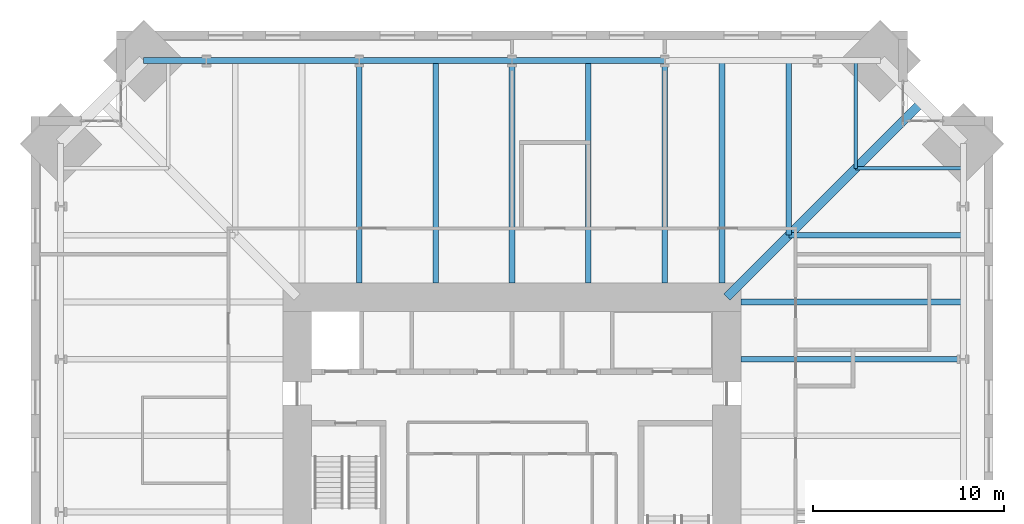
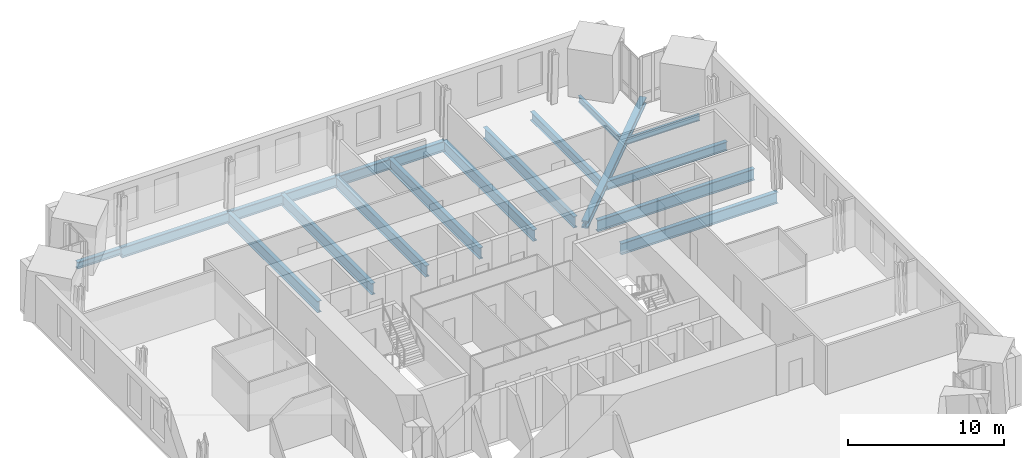
# One storey, part 7 of 15: 17 beams.
"""IFC4 building model written with IfcOpenShell, lengths in metres."""

import ifcopenshell
import ifcopenshell.guid

model = None  # the IFC model being written
_history = None  # IfcOwnerHistory: only IFC2X3 demands one
_inside = {}  # id of a spatial element -> (the spatial element, [elements in it])
_under = {}  # id of a project, library or spatial element -> (it, [spatial elements below it])
_declared = {}  # id of a project -> (the project, [libraries it declares])
_typed = {}  # id of a type object -> (the type object, [elements of that type])
_made_of = {}  # id of a material, layer set ... -> (it, [elements and type objects made of it])


def new_model(schema):
    """Start an empty IFC model of exactly this schema.

    Asked for "IFC4X3", IfcOpenShell would pick the latest addendum, in which some entities
    have other attributes; the version numbers below select the first issue.
    IFC2X3 requires an IfcOwnerHistory on every rooted entity: one is made here for all.
    """
    global model, _history
    if schema == "IFC4X3":
        model = ifcopenshell.file(schema_version=(4, 3, 0, 0))
    else:
        model = ifcopenshell.file(schema=schema)
    _inside.clear()
    _under.clear()
    _declared.clear()
    _typed.clear()
    _made_of.clear()
    _history = None
    if model.schema == "IFC2X3":
        org = make("IfcOrganization", Name="unknown")
        user = make(
            "IfcPersonAndOrganization",
            ThePerson=make("IfcPerson", FamilyName="unknown"),
            TheOrganization=org,
        )
        app = make(
            "IfcApplication",
            ApplicationDeveloper=org,
            Version="unknown",
            ApplicationFullName="unknown",
            ApplicationIdentifier="unknown",
        )
        _history = make(
            "IfcOwnerHistory",
            OwningUser=user,
            OwningApplication=app,
            ChangeAction="ADDED",
            CreationDate=0,
        )
    return model


def make(cls, **values):
    """One entity of the class cls with the attributes given. An attribute that is None is left unset."""
    return model.create_entity(
        cls, **{name: value for name, value in values.items() if value is not None}
    )


def rooted(cls, **values):
    """An entity with a GlobalId (a new one), such as an element, a storey or a relation."""
    return make(cls, GlobalId=ifcopenshell.guid.new(), OwnerHistory=_history, **values)


def si_unit(unit_type, name, prefix=None):
    """IfcSIUnit, for example si_unit("LENGTHUNIT", "METRE", prefix="MILLI")."""
    return make("IfcSIUnit", UnitType=unit_type, Prefix=prefix, Name=name)


def assignment(units):
    """IfcUnitAssignment: the units of a project."""
    return None if units is None else make("IfcUnitAssignment", Units=units)


def point(xyz):
    """IfcCartesianPoint."""
    return None if xyz is None else make("IfcCartesianPoint", Coordinates=xyz)


def direction(xyz):
    """IfcDirection."""
    return None if xyz is None else make("IfcDirection", DirectionRatios=xyz)


def frame(location, z_axis=None, x_axis=None):
    """IfcAxis2Placement3D, a coordinate frame: its origin and axes. An axis left out is left unset."""
    return make(
        "IfcAxis2Placement3D",
        Location=point(location),
        Axis=direction(z_axis),
        RefDirection=direction(x_axis),
    )


def frame_2d(location, x_axis=None):
    """IfcAxis2Placement2D, a coordinate frame in the plane: its origin and x axis."""
    return make(
        "IfcAxis2Placement2D", Location=point(location), RefDirection=direction(x_axis)
    )


def origin():
    """The frame at (0, 0, 0) with its axes left unset."""
    return frame((0.0, 0.0, 0.0))


def origin_2d():
    """The frame at (0, 0) in the plane with its x axis left unset."""
    return frame_2d((0.0, 0.0))


def place(relative_to, where):
    """IfcLocalPlacement: puts the frame where relative to a parent placement (None: the world)."""
    return make(
        "IfcLocalPlacement", PlacementRelTo=relative_to, RelativePlacement=where
    )


def context(
    kind, dimensions, precision=None, world=None, true_north=None, identifier=None
):
    """IfcGeometricRepresentationContext, for example the 3D "Model" context."""
    return make(
        "IfcGeometricRepresentationContext",
        ContextIdentifier=identifier,
        ContextType=kind,
        CoordinateSpaceDimension=dimensions,
        Precision=precision,
        WorldCoordinateSystem=world,
        TrueNorth=true_north,
    )


def subcontext(parent, identifier, kind, view, scale=None):
    """IfcGeometricRepresentationSubContext, for example "Body" below "Model"."""
    return make(
        "IfcGeometricRepresentationSubContext",
        ContextIdentifier=identifier,
        ContextType=kind,
        ParentContext=parent,
        TargetScale=scale,
        TargetView=view,
    )


def project(units=None, contexts=None):
    """IfcProject with its units and contexts."""
    return rooted(
        "IfcProject",
        Name="project",
        RepresentationContexts=contexts,
        UnitsInContext=assignment(units),
    )


def spatial(cls, under=None, at=None, **own):
    """A site, building, storey or space (cls), placed at a placement, below another one or the project."""
    s = rooted(cls, ObjectPlacement=at, **own)
    if under is not None:
        _under.setdefault(under.id(), (under, []))[1].append(s)
    return s


def profile(cls, at=None, kind="AREA", **sizes):
    """A parametric profile (cls). Its sizes go by their IFC names, for example OverallWidth=200.0."""
    return make(cls, ProfileType=kind, Position=at, **sizes)


def i_section(**sizes):
    """IfcIShapeProfileDef."""
    return profile("IfcIShapeProfileDef", **sizes)


def extrude(swept, where, along, depth):
    """IfcExtrudedAreaSolid: the profile swept, set in the frame where, extruded along a direction by depth."""
    return make(
        "IfcExtrudedAreaSolid",
        SweptArea=swept,
        Position=where,
        ExtrudedDirection=direction(along),
        Depth=depth,
    )


def shape(context_of_items, identifier, shape_type, items):
    """IfcShapeRepresentation: the items that make up one representation, for example the "Body"."""
    return make(
        "IfcShapeRepresentation",
        ContextOfItems=context_of_items,
        RepresentationIdentifier=identifier,
        RepresentationType=shape_type,
        Items=items,
    )


def material(Name=None, Category=None):
    """IfcMaterial."""
    return make("IfcMaterial", Name=Name, Category=Category)


def material_profile(
    of_material, cross_section, Name=None, Category=None, Priority=None
):
    """IfcMaterialProfile: a cross section and its material."""
    return make(
        "IfcMaterialProfile",
        Name=Name,
        Material=of_material,
        Profile=cross_section,
        Priority=Priority,
        Category=Category,
    )


def profile_set(profiles, Name=None, composite=None):
    """IfcMaterialProfileSet."""
    return make(
        "IfcMaterialProfileSet",
        Name=Name,
        MaterialProfiles=profiles,
        CompositeProfile=composite,
    )


def made_of(thing, what):
    """Note that an element or type object is made of a material, layer set ...; save() writes the relation."""
    if what is not None:
        _made_of.setdefault(what.id(), (what, []))[1].append(thing)
    return thing


def type_object(cls, material=None, **own):
    """A type object (cls), such as IfcWallType, which elements share."""
    return made_of(rooted(cls, **own), material)


def element(
    cls,
    number,
    at=None,
    inside=None,
    cuts=None,
    type_object=None,
    material=None,
    context=None,
    identifier="Body",
    shape_type=None,
    held_by="IfcProductDefinitionShape",
    body=None,
    shapes=None,
    **own,
):
    """One element of the class cls, such as IfcWall. Its Tag is "e" and its number.

    at: its placement. inside: the storey or other place that contains it. cuts: it is an
    opening in that element (IfcRelVoidsElement). A single representation is given by context,
    identifier, shape_type and body (its items); several are given by shapes. held_by: the class
    of the entity that holds the representations. save() writes the other relations.
    """
    e = rooted(cls, Tag="e%d" % number, ObjectPlacement=at, **own)
    if body is not None:
        shapes = [shape(context, identifier, shape_type, body)]
    if shapes is not None:
        e.Representation = make(held_by, Representations=shapes)
    if inside is not None:
        _inside.setdefault(inside.id(), (inside, []))[1].append(e)
    if cuts is not None:
        rooted(
            "IfcRelVoidsElement", RelatingBuildingElement=cuts, RelatedOpeningElement=e
        )
    if type_object is not None:
        _typed.setdefault(type_object.id(), (type_object, []))[1].append(e)
    return made_of(e, material)


def aggregate(whole, parts):
    """IfcRelAggregates: a whole, such as a stair, and the parts it consists of."""
    return rooted("IfcRelAggregates", RelatingObject=whole, RelatedObjects=parts)


def save(model, path):
    """Write the relations noted so far, then the file.

    IfcRelAggregates (storeys below a building ...), IfcRelContainedInSpatialStructure (elements
    in a storey), IfcRelDefinesByType, IfcRelAssociatesMaterial and IfcRelDeclares: one each for
    every whole, place, type object, material and project.
    """
    for whole, parts in _under.values():
        aggregate(whole, parts)
    for where, things in _inside.values():
        rooted(
            "IfcRelContainedInSpatialStructure",
            RelatedElements=things,
            RelatingStructure=where,
        )
    for kind, things in _typed.values():
        rooted("IfcRelDefinesByType", RelatedObjects=things, RelatingType=kind)
    for what, things in _made_of.values():
        rooted("IfcRelAssociatesMaterial", RelatedObjects=things, RelatingMaterial=what)
    for by, libraries in _declared.values():
        rooted("IfcRelDeclares", RelatingContext=by, RelatedDefinitions=libraries)
    model.write(path)


model = new_model("IFC4")

# Units and contexts
model_context = context("Model", 3, precision=1e-05, world=origin(), true_north=direction((0.0, 1.0)))
body_context = subcontext(model_context, "Body", "Model", "MODEL_VIEW")
ifc_project = project(units=[si_unit("LENGTHUNIT", "METRE"), si_unit("AREAUNIT", "SQUARE_METRE"), si_unit("VOLUMEUNIT", "CUBIC_METRE"), si_unit("PLANEANGLEUNIT", "RADIAN"), si_unit("MASSUNIT", "GRAM", prefix="KILO")], contexts=[model_context])

# Site, building, storey
site_placement = place(None, origin())
site = spatial("IfcSite", under=ifc_project, at=site_placement, CompositionType="ELEMENT")
building_placement = place(site_placement, origin())
building = spatial("IfcBuilding", under=site, at=building_placement, Name="Peilmerk Tower", CompositionType="ELEMENT")
storey_placement = place(building_placement, frame((0.0, 0.0, 179.800048828125)))
storey = spatial("IfcBuildingStorey", under=building, at=storey_placement, Name="L38", CompositionType="ELEMENT", Elevation=179.800048828125)

# Beams
ifc_material_1 = material(Name="Steel S355", Category="steel")
ifc_material_profile_1 = material_profile(ifc_material_1, i_section(OverallWidth=0.302978515625, OverallDepth=0.81396484375, WebThickness=0.02099609375, FlangeThickness=0.0400390625, at=origin_2d()), Name="HEM 800")
ifc_profile_set_1 = profile_set([ifc_material_profile_1], Name="Steel S355")
beam_type_1 = type_object("IfcBeamType", Name="B15 HEM 800 edge beam", PredefinedType="SPANDREL", material=ifc_profile_set_1)
for number, where, z_axis, x_axis, name in (
    (1, (8.0, 23.646728515625, -0.5771484375), (-1.0, 0.0, 0.0), (0.0, -1.0, 0.0), "Edge beam L38"),
    (2, (0.0, 23.646728515625, -0.5771484375), (-1.0, 0.0, 0.0), (0.0, -1.0, 0.0), "Edge beam L38"),
    (3, (-8.0, 23.646728515625, -0.5771484375), (-1.0, 0.0, 0.0), (0.0, -1.0, 0.0), "Edge beam L38"),
):
    element("IfcBeam", number, at=place(storey_placement, frame(where, z_axis=z_axis, x_axis=x_axis)), inside=storey, type_object=beam_type_1, Name=name, PredefinedType="SPANDREL", context=body_context, shape_type="SweptSolid", body=[
        extrude(i_section(OverallWidth=0.302978515625, OverallDepth=0.81396484375, WebThickness=0.02099609375, FlangeThickness=0.0400390625, at=origin_2d()), origin(), (0.0, 0.0, 1.0), 8.0),
    ])
ifc_material_profile_2 = material_profile(ifc_material_1, i_section(OverallWidth=0.300048828125, OverallDepth=0.68994140625, WebThickness=0.014404296875, FlangeThickness=0.027099609375, at=origin_2d()), Name="HEA 700")
ifc_profile_set_2 = profile_set([ifc_material_profile_2], Name="Steel S355")
beam_type_2 = type_object("IfcBeamType", Name="B16 HEA 700 floor beam", PredefinedType="BEAM", material=ifc_profile_set_2)
for number, where, z_axis, x_axis, name in (
    (4, (14.5, 14.5, -0.51513671875), (0.0, 1.0, 0.0), (-1.0, 0.0, 0.0), "Floor beam L38"),
    (5, (14.5, 14.5, -0.51513671875), (1.0, 0.0, 0.0), (0.0, 1.0, 0.0), "Floor beam L38"),
):
    element("IfcBeam", number, at=place(storey_placement, frame(where, z_axis=z_axis, x_axis=x_axis)), inside=storey, type_object=beam_type_2, Name=name, PredefinedType="BEAM", context=body_context, shape_type="SweptSolid", body=[
        extrude(i_section(OverallWidth=0.300048828125, OverallDepth=0.68994140625, WebThickness=0.014404296875, FlangeThickness=0.027099609375, at=origin_2d()), origin(), (0.0, 0.0, 1.0), 9.146728515625),
    ])
ifc_material_profile_3 = material_profile(ifc_material_1, i_section(OverallWidth=0.199951171875, OverallDepth=0.5, WebThickness=0.01025390625, FlangeThickness=0.01611328125, at=origin_2d()), Name="IPE 500")
ifc_profile_set_3 = profile_set([ifc_material_profile_3], Name="Steel S355")
beam_type_3 = type_object("IfcBeamType", Name="B32 IPE 500 floor beam", PredefinedType="BEAM", material=ifc_profile_set_3)
for number, where, z_axis, x_axis, name in (
    (6, (18.0, 18.0, -0.420166015625), (0.0, 1.0, 0.0), (-1.0, 0.0, 0.0), "Floor beam L38"),
    (7, (18.0, 18.0, -0.420166015625), (1.0, 0.0, 0.0), (0.0, 1.0, 0.0), "Floor beam L38"),
):
    element("IfcBeam", number, at=place(storey_placement, frame(where, z_axis=z_axis, x_axis=x_axis)), inside=storey, type_object=beam_type_3, Name=name, PredefinedType="BEAM", context=body_context, shape_type="SweptSolid", body=[
        extrude(i_section(OverallWidth=0.199951171875, OverallDepth=0.5, WebThickness=0.01025390625, FlangeThickness=0.01611328125, at=origin_2d()), origin(), (0.0, 0.0, 1.0), 5.646728515625),
    ])
ifc_material_profile_4 = material_profile(ifc_material_1, i_section(OverallWidth=0.305908203125, OverallDepth=0.52392578125, WebThickness=0.02099609375, FlangeThickness=0.0400390625, at=origin_2d()), Name="HEM 500")
ifc_profile_set_4 = profile_set([ifc_material_profile_4], Name="Steel S355")
beam_type_4 = type_object("IfcBeamType", Name="B33 HEM 500 edge beam", PredefinedType="SPANDREL", material=ifc_profile_set_4)
beam_1_placement = place(storey_placement, frame((-16.0, 23.646728515625, -0.43212890625), z_axis=(-1.0, 0.0, 0.0), x_axis=(0.0, -1.0, 0.0)))
element("IfcBeam", 8, at=beam_1_placement, inside=storey, type_object=beam_type_4, Name="Edge beam L38", PredefinedType="SPANDREL", context=body_context, shape_type="SweptSolid", body=[
    extrude(i_section(OverallWidth=0.305908203125, OverallDepth=0.52392578125, WebThickness=0.02099609375, FlangeThickness=0.0400390625, at=origin_2d()), origin(), (0.0, 0.0, 1.0), 3.296875),
])
ifc_material_profile_5 = material_profile(ifc_material_1, i_section(OverallWidth=0.300048828125, OverallDepth=0.889892578125, WebThickness=0.01611328125, FlangeThickness=0.030029296875, at=origin_2d()), Name="HEA 900")
ifc_profile_set_5 = profile_set([ifc_material_profile_5], Name="Steel S355")
beam_type_5 = type_object("IfcBeamType", Name="B4 HEA 900 floor beam", PredefinedType="BEAM", material=ifc_profile_set_5)
for number, where, z_axis, x_axis, name in (
    (9, (11.0, 12.0, -0.614990234375), (0.0, 1.0, 0.0), (-1.0, 0.0, 0.0), "Floor beam L38"),
    (10, (8.0, 12.0, -0.614990234375), (0.0, 1.0, 0.0), (-1.0, 0.0, 0.0), "Floor beam L38"),
    (11, (4.0, 12.0, -0.614990234375), (0.0, 1.0, 0.0), (-1.0, 0.0, 0.0), "Floor beam L38"),
    (12, (0.0, 12.0, -0.614990234375), (0.0, 1.0, 0.0), (-1.0, 0.0, 0.0), "Floor beam L38"),
    (13, (-4.0, 12.0, -0.614990234375), (0.0, 1.0, 0.0), (-1.0, 0.0, 0.0), "Floor beam L38"),
    (14, (-8.0, 12.0, -0.614990234375), (0.0, 1.0, 0.0), (-1.0, 0.0, 0.0), "Floor beam L38"),
    (15, (12.0, 8.0, -0.614990234375), (1.0, 0.0, 0.0), (0.0, 1.0, 0.0), "Floor beam L38"),
    (16, (12.0, 11.0, -0.614990234375), (1.0, 0.0, 0.0), (0.0, 1.0, 0.0), "Floor beam L38"),
):
    element("IfcBeam", number, at=place(storey_placement, frame(where, z_axis=z_axis, x_axis=x_axis)), inside=storey, type_object=beam_type_5, Name=name, PredefinedType="BEAM", context=body_context, shape_type="SweptSolid", body=[
        extrude(i_section(OverallWidth=0.300048828125, OverallDepth=0.889892578125, WebThickness=0.01611328125, FlangeThickness=0.030029296875, at=origin_2d()), origin(), (0.0, 0.0, 1.0), 11.646728515625),
    ])
ifc_material_2 = material(Name="Steel S460", Category="steel")
ifc_material_profile_6 = material_profile(ifc_material_2, i_section(OverallWidth=0.4541015625, OverallDepth=0.569091796875, WebThickness=0.077880859375, FlangeThickness=0.125, at=origin_2d()), Name="HD 400x1086")
ifc_profile_set_6 = profile_set([ifc_material_profile_6], Name="Steel S460")
beam_type_6 = type_object("IfcBeamType", Name="B9 HD 400x1086 corner girder", PredefinedType="BEAM", material=ifc_profile_set_6)
beam_2_placement = place(storey_placement, frame((11.25, 11.25, -0.45458984375), z_axis=(0.707106781187, 0.707106781187, 0.0), x_axis=(-0.707106781187, 0.707106781187, 0.0)))
element("IfcBeam", 17, at=beam_2_placement, inside=storey, type_object=beam_type_6, Name="Corner girder L38", PredefinedType="BEAM", context=body_context, shape_type="SweptSolid", body=[
    extrude(i_section(OverallWidth=0.4541015625, OverallDepth=0.569091796875, WebThickness=0.077880859375, FlangeThickness=0.125, at=origin_2d()), origin(), (0.0, 0.0, 1.0), 14.45556640625),
])

save(model, "model.ifc")
